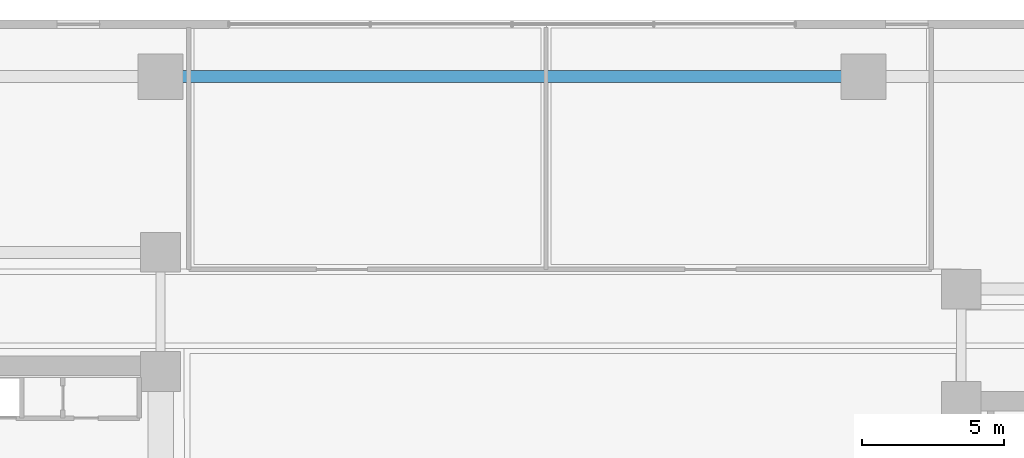
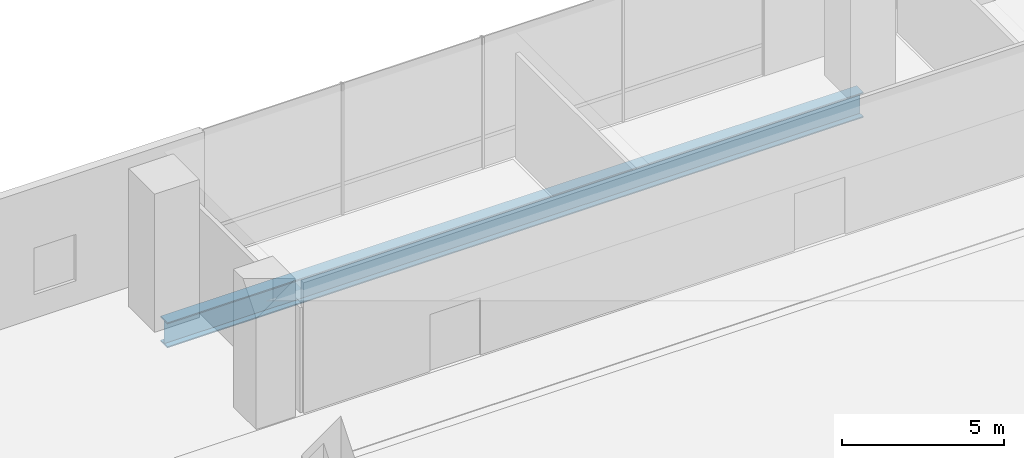
# One storey, part 15 of 39: 1 beam.
"""IFC4 building model written with IfcOpenShell, lengths in metres."""

from ifc_helpers import new_model, si_unit, direction, frame, origin, origin_2d, place, context, subcontext, project, spatial, i_section, extrude, source, transform, mapped, material, material_profile, profile_set, type_object, element, save


model = new_model("IFC4")

# Units and contexts
model_context = context("Model", 3, precision=1e-05, world=origin(), true_north=direction((0.0, 1.0)))
body_context = subcontext(model_context, "Body", "Model", "MODEL_VIEW")
ifc_project = project(units=[si_unit("LENGTHUNIT", "METRE"), si_unit("AREAUNIT", "SQUARE_METRE"), si_unit("VOLUMEUNIT", "CUBIC_METRE"), si_unit("PLANEANGLEUNIT", "RADIAN"), si_unit("MASSUNIT", "GRAM", prefix="KILO")], contexts=[model_context])

# Site, building, storey
site_placement = place(None, origin())
site = spatial("IfcSite", under=ifc_project, at=site_placement, CompositionType="ELEMENT")
building_placement = place(site_placement, origin())
building = spatial("IfcBuilding", under=site, at=building_placement, Name="Valdorenza Pilgrim Sanctuary Tower", CompositionType="ELEMENT")
storey_placement = place(building_placement, frame((0.0, 0.0, 10.39990234375)))
storey = spatial("IfcBuildingStorey", under=building, at=storey_placement, Name="L02", CompositionType="ELEMENT", Elevation=10.39990234375)

# Beam
ifc_material = material(Name="Steel ASTM A992 Grade 50", Category="steel")
ifc_material_profile = material_profile(ifc_material, i_section(OverallWidth=0.423095703125, OverallDepth=0.947998046875, WebThickness=0.02392578125, FlangeThickness=0.042724609375, at=origin_2d()), Name="W36X302")
ifc_profile_set = profile_set([ifc_material_profile], Name="Steel ASTM A992 Grade 50")
beam_type = type_object("IfcBeamType", Name="STR-BM-GRD-W36A", PredefinedType="BEAM", material=ifc_profile_set)
shared_shape = source(origin(), body_context, "Body", "SweptSolid", [
    extrude(i_section(OverallWidth=0.423095703125, OverallDepth=0.947998046875, WebThickness=0.02392578125, FlangeThickness=0.042724609375, at=origin_2d()), origin(), (0.0, 0.0, 1.0), 24.7998046875),
])
beam_placement = place(storey_placement, frame((-12.39990234375, 21.0, -0.75390625), z_axis=(1.0, 0.0, 0.0), x_axis=(0.0, 1.0, 0.0)))
element("IfcBeam", 1, at=beam_placement, inside=storey, type_object=beam_type, Name="L02 Floor Girder POD-N-TIE2", PredefinedType="BEAM", context=body_context, shape_type="MappedRepresentation", body=[
    mapped(shared_shape, transform((0.0, 0.0, 0.0), x_axis=(1.0, 0.0, 0.0), y_axis=(0.0, 1.0, 0.0), z_axis=(0.0, 0.0, 1.0), scale=1.0)),
])

save(model, "model.ifc")
